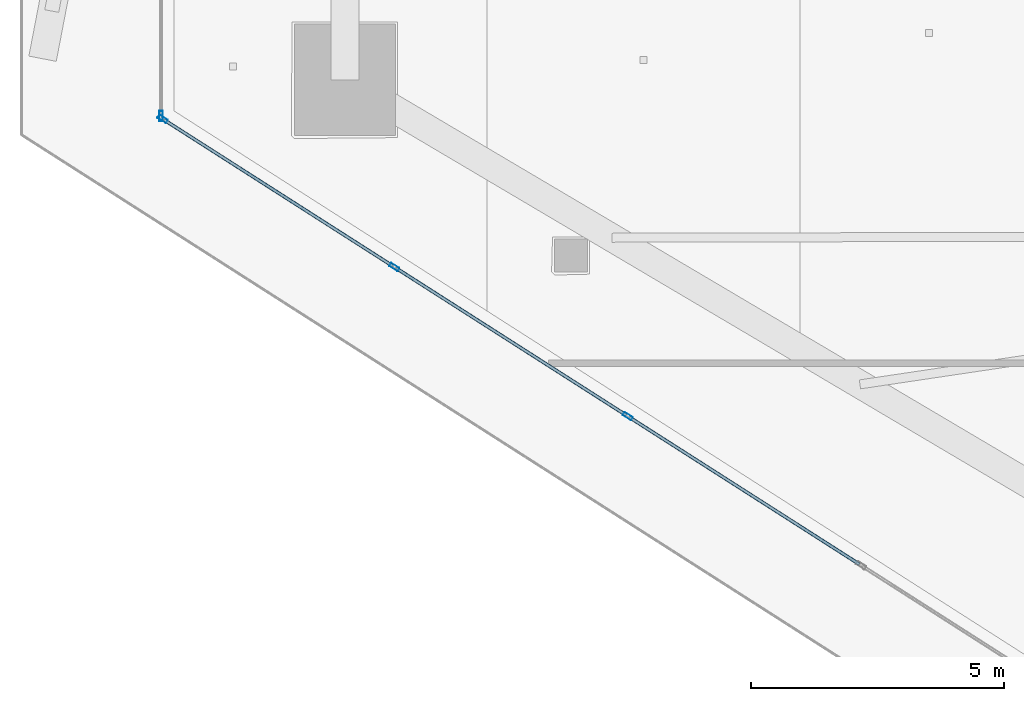
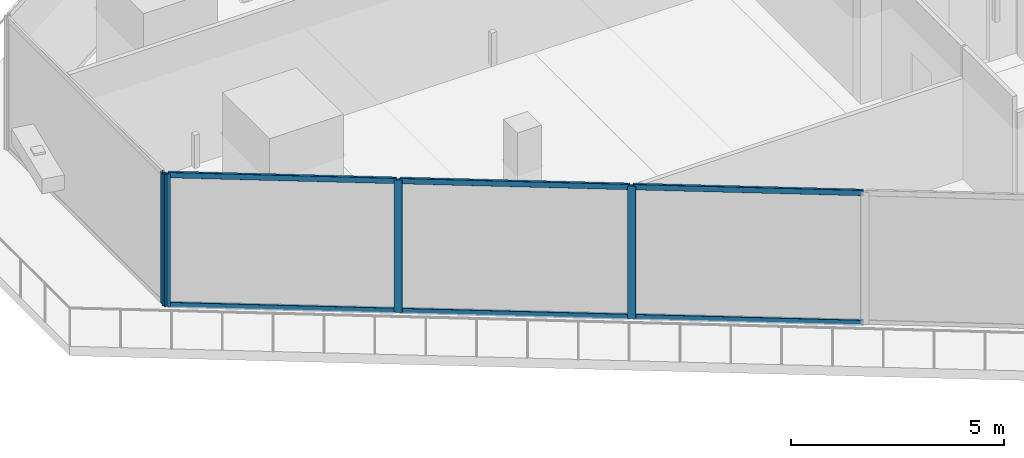
# One storey, part 4 of 39: 10 members, 2 elements without a shape of their own.
"""IFC4 building model written with IfcOpenShell, lengths in metres."""

from ifc_helpers import new_model, si_unit, direction, frame, origin, origin_2d, place, context, subcontext, project, spatial, hollow_rectangle, extrude, material, layer, layer_set, material_profile, profile_set, type_object, element, aggregate, save


model = new_model("IFC4")

# Units and contexts
model_context = context("Model", 3, precision=1e-05, world=origin(), true_north=direction((0.0, 1.0)))
body_context = subcontext(model_context, "Body", "Model", "MODEL_VIEW")
ifc_project = project(units=[si_unit("LENGTHUNIT", "METRE"), si_unit("AREAUNIT", "SQUARE_METRE"), si_unit("VOLUMEUNIT", "CUBIC_METRE"), si_unit("PLANEANGLEUNIT", "RADIAN"), si_unit("MASSUNIT", "GRAM", prefix="KILO")], contexts=[model_context])

# Site, building, storey
site_placement = place(None, origin())
site = spatial("IfcSite", under=ifc_project, at=site_placement, CompositionType="ELEMENT")
building_placement = place(site_placement, origin())
building = spatial("IfcBuilding", under=site, at=building_placement, Name="Qorvath Tower", CompositionType="ELEMENT")
storey_placement = place(building_placement, frame((0.0, 0.0, 154.35009765625)))
storey = spatial("IfcBuildingStorey", under=building, at=storey_placement, Name="L35", CompositionType="ELEMENT", Elevation=154.35009765625)

# Curtain wall, member
ifc_material_1 = material(Name="Anodised aluminium and triple low-E glass", Category="aluminium")
ifc_layer = layer(ifc_material_1, 0.179931640625)
ifc_layer_set = layer_set([ifc_layer], Name="CW-SYS-5")
curtain_wall_type = type_object("IfcCurtainWallType", Name="CW-SYS-5", PredefinedType="NOTDEFINED", material=ifc_layer_set)
curtain_wall_1_placement = place(storey_placement, origin())
curtain_wall_1 = element("IfcCurtainWall", 1, at=curtain_wall_1_placement, inside=storey, type_object=curtain_wall_type, Name="Curtain Wall CW-5 CW-T-L35-17.1", PredefinedType="NOTDEFINED")
ifc_material_2 = material(Name="Anodised aluminium 6063-T6", Category="aluminium")
ifc_material_profile_1 = material_profile(ifc_material_2, hollow_rectangle(XDim=0.074951171875, YDim=0.199951171875, WallThickness=0.00390625, InnerFilletRadius=0.00390625, OuterFilletRadius=0.008056640625, at=origin_2d()), Name="CWM 200x75")
ifc_profile_set_1 = profile_set([ifc_material_profile_1], Name="Anodised aluminium 6063-T6")
member_type_1 = type_object("IfcMemberType", Name="CWM-200", PredefinedType="MULLION", material=ifc_profile_set_1)
member_1_placement = place(storey_placement, frame((-56.683837890625, -3.66552734375, 0.0), z_axis=(0.0, 0.0, 1.0), x_axis=(1.0, 0.0, 0.0)))
member_1 = element("IfcMember", 2, at=member_1_placement, type_object=member_type_1, Name="CW-5 mullion 2", PredefinedType="MULLION", context=body_context, shape_type="SweptSolid", body=[
    extrude(hollow_rectangle(XDim=0.074951171875, YDim=0.199951171875, WallThickness=0.00390625, InnerFilletRadius=0.00390625, OuterFilletRadius=0.008056640625, at=origin_2d()), origin(), (0.0, 0.0, 1.0), 3.77978515625),
])
aggregate(curtain_wall_1, [member_1])

# Curtain wall, members
curtain_wall_2_placement = place(storey_placement, origin())
curtain_wall_2 = element("IfcCurtainWall", 3, at=curtain_wall_2_placement, inside=storey, type_object=curtain_wall_type, Name="Curtain Wall CW-5 CW-T-L35-18.1", PredefinedType="NOTDEFINED")
member_2_placement = place(storey_placement, frame((-56.652099609375, -3.723388671875, 0.0), z_axis=(0.0, 0.0, 1.0), x_axis=(0.538536247531, 0.842602343989, 0.0)))
member_2 = element("IfcMember", 4, at=member_2_placement, type_object=member_type_1, Name="CW-5 mullion 1", PredefinedType="MULLION", context=body_context, shape_type="SweptSolid", body=[
    extrude(hollow_rectangle(XDim=0.074951171875, YDim=0.199951171875, WallThickness=0.00390625, InnerFilletRadius=0.00390625, OuterFilletRadius=0.008056640625, at=origin_2d()), origin(), (0.0, 0.0, 1.0), 3.77978515625),
])
member_3_placement = place(storey_placement, frame((-52.0712890625, -6.651123046875, 0.0), z_axis=(0.0, 0.0, 1.0), x_axis=(0.538536247531, 0.842602343989, 0.0)))
member_3 = element("IfcMember", 5, at=member_3_placement, type_object=member_type_1, Name="CW-5 mullion 2", PredefinedType="MULLION", context=body_context, shape_type="SweptSolid", body=[
    extrude(hollow_rectangle(XDim=0.074951171875, YDim=0.199951171875, WallThickness=0.00390625, InnerFilletRadius=0.00390625, OuterFilletRadius=0.008056640625, at=origin_2d()), origin(), (0.0, 0.0, 1.0), 3.77978515625),
])
member_4_placement = place(storey_placement, frame((-47.458740234375, -9.59912109375, 0.0), z_axis=(0.0, 0.0, 1.0), x_axis=(0.538536247531, 0.842602343989, 0.0)))
member_4 = element("IfcMember", 6, at=member_4_placement, type_object=member_type_1, Name="CW-5 mullion 3", PredefinedType="MULLION", context=body_context, shape_type="SweptSolid", body=[
    extrude(hollow_rectangle(XDim=0.074951171875, YDim=0.199951171875, WallThickness=0.00390625, InnerFilletRadius=0.00390625, OuterFilletRadius=0.008056640625, at=origin_2d()), origin(), (0.0, 0.0, 1.0), 3.77978515625),
])
ifc_material_3 = material(Name="Anodised aluminium 6063-T6", Category="aluminium")
ifc_material_profile_2 = material_profile(ifc_material_3, hollow_rectangle(XDim=0.06494140625, YDim=0.159912109375, WallThickness=0.00341796875, InnerFilletRadius=0.00341796875, OuterFilletRadius=0.007080078125, at=origin_2d()), Name="CWT 160x65")
ifc_profile_set_2 = profile_set([ifc_material_profile_2], Name="Anodised aluminium 6063-T6")
member_type_2 = type_object("IfcMemberType", Name="CWT-160", PredefinedType="USERDEFINED", material=ifc_profile_set_2)
member_5_placement = place(storey_placement, frame((-56.62060546875, -3.743408203125, 0.032470703125), z_axis=(0.842592946835, -0.538550950184, 0.0), x_axis=(0.538550950184, 0.842592946835, 0.0)))
member_5 = element("IfcMember", 7, at=member_5_placement, type_object=member_type_2, Name="CW-5 transom 1.1", ObjectType="TRANSOM", PredefinedType="USERDEFINED", context=body_context, shape_type="SweptSolid", body=[
    extrude(hollow_rectangle(XDim=0.06494140625, YDim=0.159912109375, WallThickness=0.00341796875, InnerFilletRadius=0.00341796875, OuterFilletRadius=0.007080078125, at=origin_2d()), origin(), (0.0, 0.0, 1.0), 5.361572265625),
])
member_6_placement = place(storey_placement, frame((-56.62060546875, -3.743408203125, 3.747314453125), z_axis=(0.842592946835, -0.538550950184, 0.0), x_axis=(0.538550950184, 0.842592946835, 0.0)))
member_6 = element("IfcMember", 8, at=member_6_placement, type_object=member_type_2, Name="CW-5 transom 1.2", ObjectType="TRANSOM", PredefinedType="USERDEFINED", context=body_context, shape_type="SweptSolid", body=[
    extrude(hollow_rectangle(XDim=0.06494140625, YDim=0.159912109375, WallThickness=0.00341796875, InnerFilletRadius=0.00341796875, OuterFilletRadius=0.007080078125, at=origin_2d()), origin(), (0.0, 0.0, 1.0), 5.361572265625),
])
member_7_placement = place(storey_placement, frame((-52.039794921875, -6.67138671875, 0.032470703125), z_axis=(0.842615326436, -0.538515934449, 0.0), x_axis=(0.538515934449, 0.842615326436, 0.0)))
member_7 = element("IfcMember", 9, at=member_7_placement, type_object=member_type_2, Name="CW-5 transom 2.1", ObjectType="TRANSOM", PredefinedType="USERDEFINED", context=body_context, shape_type="SweptSolid", body=[
    extrude(hollow_rectangle(XDim=0.06494140625, YDim=0.159912109375, WallThickness=0.00341796875, InnerFilletRadius=0.00341796875, OuterFilletRadius=0.007080078125, at=origin_2d()), origin(), (0.0, 0.0, 1.0), 5.39892578125),
])
member_8_placement = place(storey_placement, frame((-52.039794921875, -6.67138671875, 3.747314453125), z_axis=(0.842615326436, -0.538515934449, 0.0), x_axis=(0.538515934449, 0.842615326436, 0.0)))
member_8 = element("IfcMember", 10, at=member_8_placement, type_object=member_type_2, Name="CW-5 transom 2.2", ObjectType="TRANSOM", PredefinedType="USERDEFINED", context=body_context, shape_type="SweptSolid", body=[
    extrude(hollow_rectangle(XDim=0.06494140625, YDim=0.159912109375, WallThickness=0.00341796875, InnerFilletRadius=0.00341796875, OuterFilletRadius=0.007080078125, at=origin_2d()), origin(), (0.0, 0.0, 1.0), 5.39892578125),
])
member_9_placement = place(storey_placement, frame((-47.42724609375, -9.619384765625, 0.032470703125), z_axis=(0.842615326436, -0.538515934449, 0.0), x_axis=(0.538515934449, 0.842615326436, 0.0)))
member_9 = element("IfcMember", 11, at=member_9_placement, type_object=member_type_2, Name="CW-5 transom 3.1", ObjectType="TRANSOM", PredefinedType="USERDEFINED", context=body_context, shape_type="SweptSolid", body=[
    extrude(hollow_rectangle(XDim=0.06494140625, YDim=0.159912109375, WallThickness=0.00341796875, InnerFilletRadius=0.00341796875, OuterFilletRadius=0.007080078125, at=origin_2d()), origin(), (0.0, 0.0, 1.0), 5.39892578125),
])
member_10_placement = place(storey_placement, frame((-47.42724609375, -9.619384765625, 3.747314453125), z_axis=(0.842615326436, -0.538515934449, 0.0), x_axis=(0.538515934449, 0.842615326436, 0.0)))
member_10 = element("IfcMember", 12, at=member_10_placement, type_object=member_type_2, Name="CW-5 transom 3.2", ObjectType="TRANSOM", PredefinedType="USERDEFINED", context=body_context, shape_type="SweptSolid", body=[
    extrude(hollow_rectangle(XDim=0.06494140625, YDim=0.159912109375, WallThickness=0.00341796875, InnerFilletRadius=0.00341796875, OuterFilletRadius=0.007080078125, at=origin_2d()), origin(), (0.0, 0.0, 1.0), 5.39892578125),
])
aggregate(curtain_wall_2, [member_2, member_3, member_4, member_5, member_6, member_7, member_8, member_9, member_10])

save(model, "model.ifc")
